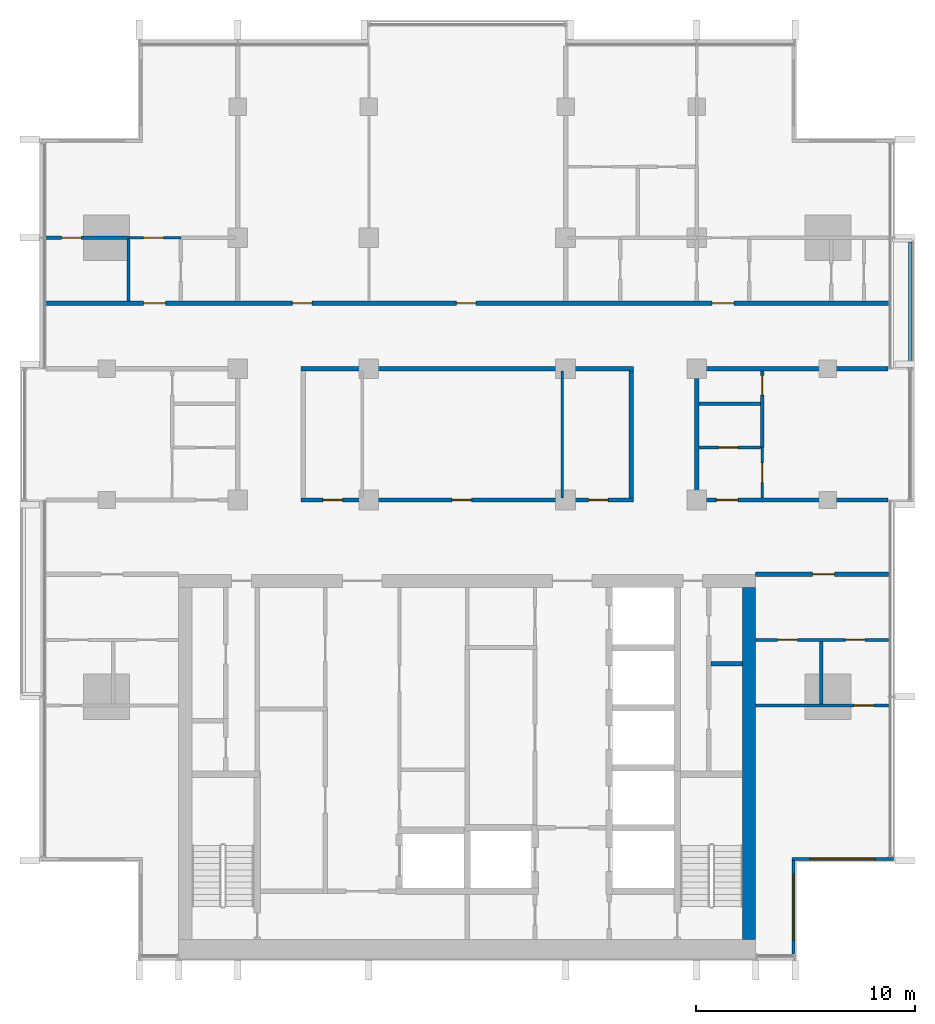
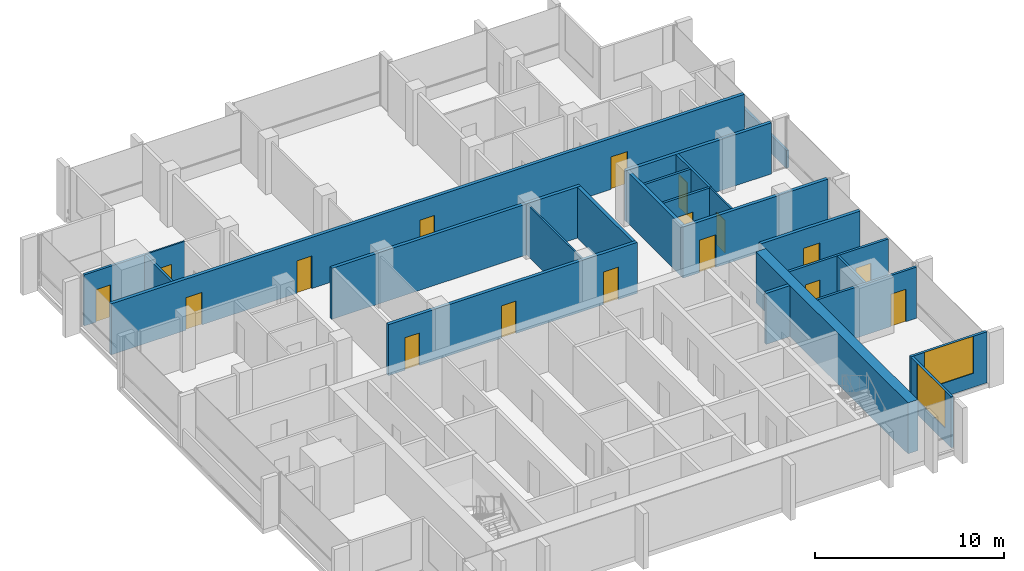
# One storey, part 9 of 16: 24 walls, 17 doors, 2 windows, 19 openings.
"""IFC4 building model written with IfcOpenShell, lengths in metres."""

from ifc_helpers import new_model, si_unit, direction, frame, frame_2d, origin, place, context, subcontext, project, spatial, rectangle, extrude, material, layer, layer_set, type_object, element, fill, save


model = new_model("IFC4")

# Units and contexts
model_context = context("Model", 3, precision=1e-05, world=origin(), true_north=direction((0.0, 1.0)))
body_context = subcontext(model_context, "Body", "Model", "MODEL_VIEW")
ifc_project = project(units=[si_unit("LENGTHUNIT", "METRE"), si_unit("AREAUNIT", "SQUARE_METRE"), si_unit("VOLUMEUNIT", "CUBIC_METRE"), si_unit("PLANEANGLEUNIT", "RADIAN"), si_unit("MASSUNIT", "GRAM", prefix="KILO")], contexts=[model_context])

# Site, building, storey
site_placement = place(None, origin())
site = spatial("IfcSite", under=ifc_project, at=site_placement, CompositionType="ELEMENT")
building_placement = place(site_placement, origin())
building = spatial("IfcBuilding", under=site, at=building_placement, Name="Finial Court Residences", CompositionType="ELEMENT")
storey_placement = place(building_placement, frame((0.0, 0.0, 212.300048828125)))
storey = spatial("IfcBuildingStorey", under=building, at=storey_placement, Name="L53", CompositionType="ELEMENT", Elevation=212.300048828125)

# Wall
ifc_material_1 = material(Name="Concrete C60/75", Category="concrete")
ifc_layer_1 = layer(ifc_material_1, 0.60009765625)
ifc_layer_set_1 = layer_set([ifc_layer_1], Name="Core outer wall 600 Concrete C60/75")
wall_type_1 = type_object("IfcWallType", Name="Core outer wall 600 Concrete C60/75", PredefinedType="SHEAR", material=ifc_layer_set_1)
wall_1_placement = place(storey_placement, frame((12.89990234375, -24.60009765625, 0.0), z_axis=(0.0, 0.0, 1.0), x_axis=(0.0, 1.0, 0.0)))
element("IfcWall", 1, at=wall_1_placement, inside=storey, type_object=wall_type_1, Name="Core outer wall L53-04", PredefinedType="SHEAR", context=body_context, shape_type="SweptSolid", body=[
    extrude(rectangle(XDim=16.10009765625, YDim=0.60009765625, at=frame_2d((8.050048828125, 0.0))), origin(), (0.0, 0.0, 1.0), 3.300048828125),
])

# Wall, opening, door
ifc_material_2 = material(Name="Gypsum board")
ifc_layer_2 = layer(ifc_material_2, 0.02490234375)
ifc_material_3 = material(Name="Acoustic mineral wool in double frame")
ifc_layer_3 = layer(ifc_material_3, 0.14990234375)
ifc_layer_4 = layer(ifc_material_2, 0.02490234375)
ifc_layer_set_2 = layer_set([ifc_layer_2, ifc_layer_3, ifc_layer_4], Name="Corridor wall 200, 1 hour")
wall_type_2 = type_object("IfcWallType", Name="Corridor wall 200, 1 hour", PredefinedType="PARTITIONING", material=ifc_layer_set_2)
wall_2_placement = place(storey_placement, frame((13.199951171875, -7.89990234375, 0.0), z_axis=(0.0, 0.0, 1.0), x_axis=(1.0, 0.0, 0.0)))
wall_2 = element("IfcWall", 2, at=wall_2_placement, inside=storey, type_object=wall_type_2, Name="Partition L53-005", PredefinedType="PARTITIONING", context=body_context, shape_type="SweptSolid", body=[
    extrude(rectangle(XDim=6.0625, YDim=0.199951171875, at=frame_2d((3.03125, 0.0))), origin(), (0.0, 0.0, 1.0), 3.300048828125),
])
opening_1_placement = place(wall_2_placement, frame((2.60009765625, 0.0, 0.0)))
opening_1 = element("IfcOpeningElement", 3, at=opening_1_placement, cuts=wall_2, Name="Opening L53-D008", PredefinedType="OPENING", context=body_context, shape_type="SweptSolid", body=[
    extrude(rectangle(XDim=1.0, YDim=2.10009765625, at=frame_2d((0.5, 1.050048828125))), frame((0.0, 0.10986328125, 0.0), z_axis=(0.0, -1.0, 0.0), x_axis=(1.0, 0.0, 0.0)), (0.0, 0.0, 1.0), 0.219970703125),
])
ifc_material_4 = material(Name="Timber door leaf in hollow metal frame", Category="wood")
door_type_1 = type_object("IfcDoorType", Name="Fire door set 1000 x 2100, 30 minutes", OperationType="SINGLE_SWING_LEFT", PredefinedType="DOOR", material=ifc_material_4)
door_1_placement = place(opening_1_placement, origin())
door_1 = element("IfcDoor", 4, at=door_1_placement, inside=storey, type_object=door_type_1, Name="Door L53-D008", OperationType="SINGLE_SWING_LEFT", OverallHeight=2.10009765625, OverallWidth=1.0, PredefinedType="DOOR", context=body_context, shape_type="SweptSolid", body=[
    extrude(rectangle(XDim=1.0, YDim=2.10009765625, at=frame_2d((0.5, 1.050048828125))), frame((0.0, 0.02490234375, 0.0), z_axis=(0.0, -1.0, 0.0), x_axis=(1.0, 0.0, 0.0)), (0.0, 0.0, 1.0), 0.050048828125),
])
fill(opening_1, door_1)

# Wall, openings, doors
wall_3_placement = place(storey_placement, frame((-7.60009765625, -4.5, 0.0), z_axis=(0.0, 0.0, 1.0), x_axis=(1.0, 0.0, 0.0)))
wall_3 = element("IfcWall", 5, at=wall_3_placement, inside=storey, type_object=wall_type_2, Name="Partition L53-007", PredefinedType="PARTITIONING", context=body_context, shape_type="SweptSolid", body=[
    extrude(rectangle(XDim=15.2001953125, YDim=0.199951171875, at=frame_2d((7.60009765625, 0.0))), origin(), (0.0, 0.0, 1.0), 3.300048828125),
])
opening_2_placement = place(wall_3_placement, frame((1.0, 0.0, 0.0)))
opening_2 = element("IfcOpeningElement", 6, at=opening_2_placement, cuts=wall_3, Name="Opening L53-D010", PredefinedType="OPENING", context=body_context, shape_type="SweptSolid", body=[
    extrude(rectangle(XDim=0.89990234375, YDim=2.10009765625, at=frame_2d((0.449951171875, 1.050048828125))), frame((0.0, 0.10986328125, 0.0), z_axis=(0.0, -1.0, 0.0), x_axis=(1.0, 0.0, 0.0)), (0.0, 0.0, 1.0), 0.219970703125),
])
opening_3_placement = place(wall_3_placement, frame((6.89990234375, 0.0, 0.0)))
opening_3 = element("IfcOpeningElement", 7, at=opening_3_placement, cuts=wall_3, Name="Opening L53-D011", PredefinedType="OPENING", context=body_context, shape_type="SweptSolid", body=[
    extrude(rectangle(XDim=0.89990234375, YDim=2.10009765625, at=frame_2d((0.449951171875, 1.050048828125))), frame((0.0, 0.10986328125, 0.0), z_axis=(0.0, -1.0, 0.0), x_axis=(1.0, 0.0, 0.0)), (0.0, 0.0, 1.0), 0.219970703125),
])
opening_4_placement = place(wall_3_placement, frame((13.14990234375, 0.0, 0.0)))
opening_4 = element("IfcOpeningElement", 8, at=opening_4_placement, cuts=wall_3, Name="Opening L53-D012", PredefinedType="OPENING", context=body_context, shape_type="SweptSolid", body=[
    extrude(rectangle(XDim=0.89990234375, YDim=2.10009765625, at=frame_2d((0.449951171875, 1.050048828125))), frame((0.0, 0.10986328125, 0.0), z_axis=(0.0, -1.0, 0.0), x_axis=(1.0, 0.0, 0.0)), (0.0, 0.0, 1.0), 0.219970703125),
])
door_type_2 = type_object("IfcDoorType", Name="Fire door set 900 x 2100, 30 minutes", OperationType="SINGLE_SWING_LEFT", PredefinedType="DOOR", material=ifc_material_4)
door_2_placement = place(opening_2_placement, origin())
door_2 = element("IfcDoor", 9, at=door_2_placement, inside=storey, type_object=door_type_2, Name="Door L53-D010", OperationType="SINGLE_SWING_RIGHT", OverallHeight=2.10009765625, OverallWidth=0.89990234375, PredefinedType="DOOR", context=body_context, shape_type="SweptSolid", body=[
    extrude(rectangle(XDim=0.89990234375, YDim=2.10009765625, at=frame_2d((0.449951171875, 1.050048828125))), frame((0.0, 0.02490234375, 0.0), z_axis=(0.0, -1.0, 0.0), x_axis=(1.0, 0.0, 0.0)), (0.0, 0.0, 1.0), 0.050048828125),
])
fill(opening_2, door_2)
door_3_placement = place(opening_3_placement, origin())
door_3 = element("IfcDoor", 10, at=door_3_placement, inside=storey, type_object=door_type_2, Name="Door L53-D011", OperationType="SINGLE_SWING_RIGHT", OverallHeight=2.10009765625, OverallWidth=0.89990234375, PredefinedType="DOOR", context=body_context, shape_type="SweptSolid", body=[
    extrude(rectangle(XDim=0.89990234375, YDim=2.10009765625, at=frame_2d((0.449951171875, 1.050048828125))), frame((0.0, 0.02490234375, 0.0), z_axis=(0.0, -1.0, 0.0), x_axis=(1.0, 0.0, 0.0)), (0.0, 0.0, 1.0), 0.050048828125),
])
fill(opening_3, door_3)
door_4_placement = place(opening_4_placement, origin())
door_4 = element("IfcDoor", 11, at=door_4_placement, inside=storey, type_object=door_type_2, Name="Door L53-D012", OperationType="SINGLE_SWING_LEFT", OverallHeight=2.10009765625, OverallWidth=0.89990234375, PredefinedType="DOOR", context=body_context, shape_type="SweptSolid", body=[
    extrude(rectangle(XDim=0.89990234375, YDim=2.10009765625, at=frame_2d((0.449951171875, 1.050048828125))), frame((0.0, 0.02490234375, 0.0), z_axis=(0.0, -1.0, 0.0), x_axis=(1.0, 0.0, 0.0)), (0.0, 0.0, 1.0), 0.050048828125),
])
fill(opening_4, door_4)

# Wall, opening, door
wall_4_placement = place(storey_placement, frame((10.39990234375, -4.5, 0.0), z_axis=(0.0, 0.0, 1.0), x_axis=(1.0, 0.0, 0.0)))
wall_4 = element("IfcWall", 12, at=wall_4_placement, inside=storey, type_object=wall_type_2, Name="Partition L53-008", PredefinedType="PARTITIONING", context=body_context, shape_type="SweptSolid", body=[
    extrude(rectangle(XDim=8.862548828125, YDim=0.199951171875, at=frame_2d((4.43115234375, 0.0))), origin(), (0.0, 0.0, 1.0), 3.300048828125),
])
opening_5_placement = place(wall_4_placement, frame((1.0, 0.0, 0.0)))
opening_5 = element("IfcOpeningElement", 13, at=opening_5_placement, cuts=wall_4, Name="Opening L53-D013", PredefinedType="OPENING", context=body_context, shape_type="SweptSolid", body=[
    extrude(rectangle(XDim=1.0, YDim=2.10009765625, at=frame_2d((0.5, 1.050048828125))), frame((0.0, 0.10986328125, 0.0), z_axis=(0.0, -1.0, 0.0), x_axis=(1.0, 0.0, 0.0)), (0.0, 0.0, 1.0), 0.219970703125),
])
door_5_placement = place(opening_5_placement, origin())
door_5 = element("IfcDoor", 14, at=door_5_placement, inside=storey, type_object=door_type_1, Name="Door L53-D013", OperationType="SINGLE_SWING_RIGHT", OverallHeight=2.10009765625, OverallWidth=1.0, PredefinedType="DOOR", context=body_context, shape_type="SweptSolid", body=[
    extrude(rectangle(XDim=1.0, YDim=2.10009765625, at=frame_2d((0.5, 1.050048828125))), frame((0.0, 0.02490234375, 0.0), z_axis=(0.0, -1.0, 0.0), x_axis=(1.0, 0.0, 0.0)), (0.0, 0.0, 1.0), 0.050048828125),
])
fill(opening_5, door_5)

# Walls
wall_5_placement = place(storey_placement, frame((-7.60009765625, 1.5, 0.0), z_axis=(0.0, 0.0, 1.0), x_axis=(1.0, 0.0, 0.0)))
element("IfcWall", 15, at=wall_5_placement, inside=storey, type_object=wall_type_2, Name="Partition L53-014", PredefinedType="PARTITIONING", context=body_context, shape_type="SweptSolid", body=[
    extrude(rectangle(XDim=15.2001953125, YDim=0.199951171875, at=frame_2d((7.60009765625, 0.0))), origin(), (0.0, 0.0, 1.0), 3.300048828125),
])
wall_6_placement = place(storey_placement, frame((10.39990234375, 1.5, 0.0), z_axis=(0.0, 0.0, 1.0), x_axis=(1.0, 0.0, 0.0)))
element("IfcWall", 16, at=wall_6_placement, inside=storey, type_object=wall_type_2, Name="Partition L53-015", PredefinedType="PARTITIONING", context=body_context, shape_type="SweptSolid", body=[
    extrude(rectangle(XDim=8.862548828125, YDim=0.199951171875, at=frame_2d((4.43115234375, 0.0))), origin(), (0.0, 0.0, 1.0), 3.300048828125),
])

# Wall, openings, doors
wall_7_placement = place(storey_placement, frame((-19.35009765625, 4.5, 0.0), z_axis=(0.0, 0.0, 1.0), x_axis=(1.0, 0.0, 0.0)))
wall_7 = element("IfcWall", 17, at=wall_7_placement, inside=storey, type_object=wall_type_2, Name="Partition L53-016", PredefinedType="PARTITIONING", context=body_context, shape_type="SweptSolid", body=[
    extrude(rectangle(XDim=38.7001953125, YDim=0.199951171875, at=frame_2d((19.35009765625, 0.0))), origin(), (0.0, 0.0, 1.0), 3.300048828125),
])
opening_6_placement = place(wall_7_placement, frame((4.550048828125, 0.0, 0.0)))
opening_6 = element("IfcOpeningElement", 18, at=opening_6_placement, cuts=wall_7, Name="Opening L53-D016", PredefinedType="OPENING", context=body_context, shape_type="SweptSolid", body=[
    extrude(rectangle(XDim=1.0, YDim=2.10009765625, at=frame_2d((0.5, 1.050048828125))), frame((0.0, 0.10986328125, 0.0), z_axis=(0.0, -1.0, 0.0), x_axis=(1.0, 0.0, 0.0)), (0.0, 0.0, 1.0), 0.219970703125),
])
opening_7_placement = place(wall_7_placement, frame((11.35009765625, 0.0, 0.0)))
opening_7 = element("IfcOpeningElement", 19, at=opening_7_placement, cuts=wall_7, Name="Opening L53-D017", PredefinedType="OPENING", context=body_context, shape_type="SweptSolid", body=[
    extrude(rectangle(XDim=0.89990234375, YDim=2.10009765625, at=frame_2d((0.449951171875, 1.050048828125))), frame((0.0, 0.10986328125, 0.0), z_axis=(0.0, -1.0, 0.0), x_axis=(1.0, 0.0, 0.0)), (0.0, 0.0, 1.0), 0.219970703125),
])
opening_8_placement = place(wall_7_placement, frame((18.85009765625, 0.0, 0.0)))
opening_8 = element("IfcOpeningElement", 20, at=opening_8_placement, cuts=wall_7, Name="Opening L53-D018", PredefinedType="OPENING", context=body_context, shape_type="SweptSolid", body=[
    extrude(rectangle(XDim=0.89990234375, YDim=2.10009765625, at=frame_2d((0.449951171875, 1.050048828125))), frame((0.0, 0.10986328125, 0.0), z_axis=(0.0, -1.0, 0.0), x_axis=(1.0, 0.0, 0.0)), (0.0, 0.0, 1.0), 0.219970703125),
])
opening_9_placement = place(wall_7_placement, frame((30.550048828125, 0.0, 0.0)))
opening_9 = element("IfcOpeningElement", 21, at=opening_9_placement, cuts=wall_7, Name="Opening L53-D019", PredefinedType="OPENING", context=body_context, shape_type="SweptSolid", body=[
    extrude(rectangle(XDim=1.0, YDim=2.10009765625, at=frame_2d((0.5, 1.050048828125))), frame((0.0, 0.10986328125, 0.0), z_axis=(0.0, -1.0, 0.0), x_axis=(1.0, 0.0, 0.0)), (0.0, 0.0, 1.0), 0.219970703125),
])
door_6_placement = place(opening_6_placement, origin())
door_6 = element("IfcDoor", 22, at=door_6_placement, inside=storey, type_object=door_type_1, Name="Door L53-D016", OperationType="SINGLE_SWING_RIGHT", OverallHeight=2.10009765625, OverallWidth=1.0, PredefinedType="DOOR", context=body_context, shape_type="SweptSolid", body=[
    extrude(rectangle(XDim=1.0, YDim=2.10009765625, at=frame_2d((0.5, 1.050048828125))), frame((0.0, 0.02490234375, 0.0), z_axis=(0.0, -1.0, 0.0), x_axis=(1.0, 0.0, 0.0)), (0.0, 0.0, 1.0), 0.050048828125),
])
fill(opening_6, door_6)
door_7_placement = place(opening_9_placement, origin())
door_7 = element("IfcDoor", 23, at=door_7_placement, inside=storey, type_object=door_type_1, Name="Door L53-D019", OperationType="SINGLE_SWING_LEFT", OverallHeight=2.10009765625, OverallWidth=1.0, PredefinedType="DOOR", context=body_context, shape_type="SweptSolid", body=[
    extrude(rectangle(XDim=1.0, YDim=2.10009765625, at=frame_2d((0.5, 1.050048828125))), frame((0.0, 0.02490234375, 0.0), z_axis=(0.0, -1.0, 0.0), x_axis=(1.0, 0.0, 0.0)), (0.0, 0.0, 1.0), 0.050048828125),
])
fill(opening_9, door_7)
door_8_placement = place(opening_7_placement, origin())
door_8 = element("IfcDoor", 24, at=door_8_placement, inside=storey, type_object=door_type_2, Name="Door L53-D017", OperationType="SINGLE_SWING_RIGHT", OverallHeight=2.10009765625, OverallWidth=0.89990234375, PredefinedType="DOOR", context=body_context, shape_type="SweptSolid", body=[
    extrude(rectangle(XDim=0.89990234375, YDim=2.10009765625, at=frame_2d((0.449951171875, 1.050048828125))), frame((0.0, 0.02490234375, 0.0), z_axis=(0.0, -1.0, 0.0), x_axis=(1.0, 0.0, 0.0)), (0.0, 0.0, 1.0), 0.050048828125),
])
fill(opening_7, door_8)
door_9_placement = place(opening_8_placement, origin())
door_9 = element("IfcDoor", 25, at=door_9_placement, inside=storey, type_object=door_type_2, Name="Door L53-D018", OperationType="SINGLE_SWING_LEFT", OverallHeight=2.10009765625, OverallWidth=0.89990234375, PredefinedType="DOOR", context=body_context, shape_type="SweptSolid", body=[
    extrude(rectangle(XDim=0.89990234375, YDim=2.10009765625, at=frame_2d((0.449951171875, 1.050048828125))), frame((0.0, 0.02490234375, 0.0), z_axis=(0.0, -1.0, 0.0), x_axis=(1.0, 0.0, 0.0)), (0.0, 0.0, 1.0), 0.050048828125),
])
fill(opening_8, door_9)

# Walls
for number, where, z_axis, x_axis, name in (
    (26, (7.5, -4.39990234375, 0.0), (0.0, 0.0, 1.0), (0.0, 1.0, 0.0), "Partition L53-039"),
    (27, (10.5, -4.39990234375, 0.0), (0.0, 0.0, 1.0), (0.0, 1.0, 0.0), "Partition L53-041"),
):
    element("IfcWall", number, at=place(storey_placement, frame(where, z_axis=z_axis, x_axis=x_axis)), inside=storey, type_object=wall_type_2, Name=name, PredefinedType="PARTITIONING", context=body_context, shape_type="SweptSolid", body=[
        extrude(rectangle(XDim=5.7998046875, YDim=0.199951171875, at=frame_2d((2.89990234375, 0.0))), origin(), (0.0, 0.0, 1.0), 3.300048828125),
    ])

# Wall, opening, door
ifc_layer_5 = layer(ifc_material_2, 0.012451171875)
ifc_material_5 = material(Name="Mineral wool in light-gauge frame")
ifc_layer_6 = layer(ifc_material_5, 0.074951171875)
ifc_layer_7 = layer(ifc_material_2, 0.012451171875)
ifc_layer_set_3 = layer_set([ifc_layer_5, ifc_layer_6, ifc_layer_7], Name="Gypsum board partition 100")
wall_type_3 = type_object("IfcWallType", Name="Gypsum board partition 100", PredefinedType="PARTITIONING", material=ifc_layer_set_3)
wall_8_placement = place(storey_placement, frame((-15.5, 7.5, 0.0), z_axis=(0.0, 0.0, 1.0), x_axis=(1.0, 0.0, 0.0)))
wall_8 = element("IfcWall", 28, at=wall_8_placement, inside=storey, type_object=wall_type_3, Name="Partition L53-017", PredefinedType="PARTITIONING", context=body_context, shape_type="SweptSolid", body=[
    extrude(rectangle(XDim=2.39990234375, YDim=0.10009765625, at=frame_2d((1.199951171875, 0.0))), origin(), (0.0, 0.0, 1.0), 3.300048828125),
])
opening_10_placement = place(wall_8_placement, frame((0.699951171875, 0.0, 0.0)))
opening_10 = element("IfcOpeningElement", 29, at=opening_10_placement, cuts=wall_8, Name="Opening L53-D020", PredefinedType="OPENING", context=body_context, shape_type="SweptSolid", body=[
    extrude(rectangle(XDim=0.89990234375, YDim=2.10009765625, at=frame_2d((0.449951171875, 1.050048828125))), frame((0.0, 0.06005859375, 0.0), z_axis=(0.0, -1.0, 0.0), x_axis=(1.0, 0.0, 0.0)), (0.0, 0.0, 1.0), 0.1201171875),
])
ifc_material_6 = material(Name="Timber door leaf in timber frame", Category="wood")
door_type_3 = type_object("IfcDoorType", Name="Door set 900 x 2100", OperationType="SINGLE_SWING_LEFT", PredefinedType="DOOR", material=ifc_material_6)
door_10_placement = place(opening_10_placement, origin())
door_10 = element("IfcDoor", 30, at=door_10_placement, inside=storey, type_object=door_type_3, Name="Door L53-D020", OperationType="SINGLE_SWING_RIGHT", OverallHeight=2.10009765625, OverallWidth=0.89990234375, PredefinedType="DOOR", context=body_context, shape_type="SweptSolid", body=[
    extrude(rectangle(XDim=0.89990234375, YDim=2.10009765625, at=frame_2d((0.449951171875, 1.050048828125))), frame((0.0, 0.02490234375, 0.0), z_axis=(0.0, -1.0, 0.0), x_axis=(1.0, 0.0, 0.0)), (0.0, 0.0, 1.0), 0.050048828125),
])
fill(opening_10, door_10)

# Wall
wall_9_placement = place(storey_placement, frame((4.35009765625, -4.39990234375, 0.0), z_axis=(0.0, 0.0, 1.0), x_axis=(0.0, 1.0, 0.0)))
element("IfcWall", 31, at=wall_9_placement, inside=storey, type_object=wall_type_3, Name="Partition L53-036", PredefinedType="PARTITIONING", context=body_context, shape_type="SweptSolid", body=[
    extrude(rectangle(XDim=5.7998046875, YDim=0.10009765625, at=frame_2d((2.89990234375, 0.0))), origin(), (0.0, 0.0, 1.0), 3.300048828125),
])

# Wall, opening, door
wall_10_placement = place(storey_placement, frame((13.5, -4.39990234375, 0.0), z_axis=(0.0, 0.0, 1.0), x_axis=(0.0, 1.0, 0.0)))
wall_10 = element("IfcWall", 32, at=wall_10_placement, inside=storey, type_object=wall_type_3, Name="Partition L53-046", PredefinedType="PARTITIONING", context=body_context, shape_type="SweptSolid", body=[
    extrude(rectangle(XDim=2.2998046875, YDim=0.10009765625, at=frame_2d((1.14990234375, 0.0))), origin(), (0.0, 0.0, 1.0), 3.300048828125),
])
opening_11_placement = place(wall_10_placement, frame((0.699951171875, 0.0, 0.0)))
opening_11 = element("IfcOpeningElement", 33, at=opening_11_placement, cuts=wall_10, Name="Opening L53-D032", PredefinedType="OPENING", context=body_context, shape_type="SweptSolid", body=[
    extrude(rectangle(XDim=0.89990234375, YDim=2.10009765625, at=frame_2d((0.449951171875, 1.050048828125))), frame((0.0, 0.06005859375, 0.0), z_axis=(0.0, -1.0, 0.0), x_axis=(1.0, 0.0, 0.0)), (0.0, 0.0, 1.0), 0.1201171875),
])
door_11_placement = place(opening_11_placement, origin())
door_11 = element("IfcDoor", 34, at=door_11_placement, inside=storey, type_object=door_type_3, Name="Door L53-D032", OperationType="SINGLE_SWING_RIGHT", OverallHeight=2.10009765625, OverallWidth=0.89990234375, PredefinedType="DOOR", context=body_context, shape_type="SweptSolid", body=[
    extrude(rectangle(XDim=0.89990234375, YDim=2.10009765625, at=frame_2d((0.449951171875, 1.050048828125))), frame((0.0, 0.02490234375, 0.0), z_axis=(0.0, -1.0, 0.0), x_axis=(1.0, 0.0, 0.0)), (0.0, 0.0, 1.0), 0.050048828125),
])
fill(opening_11, door_11)

ifc_material_7 = material(Name="Moisture-resistant gypsum board")
ifc_layer_8 = layer(ifc_material_7, 0.012451171875)
ifc_layer_9 = layer(ifc_material_5, 0.125)
ifc_layer_10 = layer(ifc_material_7, 0.012451171875)
ifc_layer_set_4 = layer_set([ifc_layer_8, ifc_layer_9, ifc_layer_10], Name="Gypsum board wet-area partition 150")
wall_type_4 = type_object("IfcWallType", Name="Gypsum board wet-area partition 150", PredefinedType="PARTITIONING", material=ifc_layer_set_4)
wall_11_placement = place(storey_placement, frame((13.199951171875, -13.89990234375, 0.0), z_axis=(0.0, 0.0, 1.0), x_axis=(1.0, 0.0, 0.0)))
wall_11 = element("IfcWall", 35, at=wall_11_placement, inside=storey, type_object=wall_type_4, Name="Partition L53-001", PredefinedType="PARTITIONING", context=body_context, shape_type="SweptSolid", body=[
    extrude(rectangle(XDim=6.0625, YDim=0.14990234375, at=frame_2d((3.03125, 0.0))), origin(), (0.0, 0.0, 1.0), 3.300048828125),
])
opening_12_placement = place(wall_11_placement, frame((4.5, 0.0, 0.0)))
opening_12 = element("IfcOpeningElement", 36, at=opening_12_placement, cuts=wall_11, Name="Opening L53-D002", PredefinedType="OPENING", context=body_context, shape_type="SweptSolid", body=[
    extrude(rectangle(XDim=0.89990234375, YDim=2.10009765625, at=frame_2d((0.449951171875, 1.050048828125))), frame((0.0, 0.0849609375, 0.0), z_axis=(0.0, -1.0, 0.0), x_axis=(1.0, 0.0, 0.0)), (0.0, 0.0, 1.0), 0.169921875),
])
door_12_placement = place(opening_12_placement, origin())
door_12 = element("IfcDoor", 37, at=door_12_placement, inside=storey, type_object=door_type_3, Name="Door L53-D002", OperationType="SINGLE_SWING_RIGHT", OverallHeight=2.10009765625, OverallWidth=0.89990234375, PredefinedType="DOOR", context=body_context, shape_type="SweptSolid", body=[
    extrude(rectangle(XDim=0.89990234375, YDim=2.10009765625, at=frame_2d((0.449951171875, 1.050048828125))), frame((0.0, 0.02490234375, 0.0), z_axis=(0.0, -1.0, 0.0), x_axis=(1.0, 0.0, 0.0)), (0.0, 0.0, 1.0), 0.050048828125),
])
fill(opening_12, door_12)

# Wall, openings, doors
wall_12_placement = place(storey_placement, frame((13.199951171875, -10.89990234375, 0.0), z_axis=(0.0, 0.0, 1.0), x_axis=(1.0, 0.0, 0.0)))
wall_12 = element("IfcWall", 38, at=wall_12_placement, inside=storey, type_object=wall_type_4, Name="Partition L53-003", PredefinedType="PARTITIONING", context=body_context, shape_type="SweptSolid", body=[
    extrude(rectangle(XDim=6.0625, YDim=0.14990234375, at=frame_2d((3.03125, 0.0))), origin(), (0.0, 0.0, 1.0), 3.300048828125),
])
opening_13_placement = place(wall_12_placement, frame((1.0, 0.0, 0.0)))
opening_13 = element("IfcOpeningElement", 39, at=opening_13_placement, cuts=wall_12, Name="Opening L53-D005", PredefinedType="OPENING", context=body_context, shape_type="SweptSolid", body=[
    extrude(rectangle(XDim=0.89990234375, YDim=2.10009765625, at=frame_2d((0.449951171875, 1.050048828125))), frame((0.0, 0.0849609375, 0.0), z_axis=(0.0, -1.0, 0.0), x_axis=(1.0, 0.0, 0.0)), (0.0, 0.0, 1.0), 0.169921875),
])
opening_14_placement = place(wall_12_placement, frame((4.10009765625, 0.0, 0.0)))
opening_14 = element("IfcOpeningElement", 40, at=opening_14_placement, cuts=wall_12, Name="Opening L53-D006", PredefinedType="OPENING", context=body_context, shape_type="SweptSolid", body=[
    extrude(rectangle(XDim=0.89990234375, YDim=2.10009765625, at=frame_2d((0.449951171875, 1.050048828125))), frame((0.0, 0.0849609375, 0.0), z_axis=(0.0, -1.0, 0.0), x_axis=(1.0, 0.0, 0.0)), (0.0, 0.0, 1.0), 0.169921875),
])
door_13_placement = place(opening_13_placement, origin())
door_13 = element("IfcDoor", 41, at=door_13_placement, inside=storey, type_object=door_type_3, Name="Door L53-D005", OperationType="SINGLE_SWING_LEFT", OverallHeight=2.10009765625, OverallWidth=0.89990234375, PredefinedType="DOOR", context=body_context, shape_type="SweptSolid", body=[
    extrude(rectangle(XDim=0.89990234375, YDim=2.10009765625, at=frame_2d((0.449951171875, 1.050048828125))), frame((0.0, 0.02490234375, 0.0), z_axis=(0.0, -1.0, 0.0), x_axis=(1.0, 0.0, 0.0)), (0.0, 0.0, 1.0), 0.050048828125),
])
fill(opening_13, door_13)
door_14_placement = place(opening_14_placement, origin())
door_14 = element("IfcDoor", 42, at=door_14_placement, inside=storey, type_object=door_type_3, Name="Door L53-D006", OperationType="SINGLE_SWING_RIGHT", OverallHeight=2.10009765625, OverallWidth=0.89990234375, PredefinedType="DOOR", context=body_context, shape_type="SweptSolid", body=[
    extrude(rectangle(XDim=0.89990234375, YDim=2.10009765625, at=frame_2d((0.449951171875, 1.050048828125))), frame((0.0, 0.02490234375, 0.0), z_axis=(0.0, -1.0, 0.0), x_axis=(1.0, 0.0, 0.0)), (0.0, 0.0, 1.0), 0.050048828125),
])
fill(opening_14, door_14)

# Wall, opening, door
wall_13_placement = place(storey_placement, frame((10.60009765625, -2.10009765625, 0.0), z_axis=(0.0, 0.0, 1.0), x_axis=(1.0, 0.0, 0.0)))
wall_13 = element("IfcWall", 43, at=wall_13_placement, inside=storey, type_object=wall_type_4, Name="Partition L53-010", PredefinedType="PARTITIONING", context=body_context, shape_type="SweptSolid", body=[
    extrude(rectangle(XDim=2.824951171875, YDim=0.14990234375, at=frame_2d((1.41259765625, 0.0))), origin(), (0.0, 0.0, 1.0), 3.300048828125),
])
opening_15_placement = place(wall_13_placement, frame((0.89990234375, 0.0, 0.0)))
opening_15 = element("IfcOpeningElement", 44, at=opening_15_placement, cuts=wall_13, Name="Opening L53-D015", PredefinedType="OPENING", context=body_context, shape_type="SweptSolid", body=[
    extrude(rectangle(XDim=0.89990234375, YDim=2.10009765625, at=frame_2d((0.449951171875, 1.050048828125))), frame((0.0, 0.0849609375, 0.0), z_axis=(0.0, -1.0, 0.0), x_axis=(1.0, 0.0, 0.0)), (0.0, 0.0, 1.0), 0.169921875),
])
door_15_placement = place(opening_15_placement, origin())
door_15 = element("IfcDoor", 45, at=door_15_placement, inside=storey, type_object=door_type_3, Name="Door L53-D015", OperationType="SINGLE_SWING_RIGHT", OverallHeight=2.10009765625, OverallWidth=0.89990234375, PredefinedType="DOOR", context=body_context, shape_type="SweptSolid", body=[
    extrude(rectangle(XDim=0.89990234375, YDim=2.10009765625, at=frame_2d((0.449951171875, 1.050048828125))), frame((0.0, 0.02490234375, 0.0), z_axis=(0.0, -1.0, 0.0), x_axis=(1.0, 0.0, 0.0)), (0.0, 0.0, 1.0), 0.050048828125),
])
fill(opening_15, door_15)

# Wall
wall_14_placement = place(storey_placement, frame((10.60009765625, -0.10009765625, 0.0), z_axis=(0.0, 0.0, 1.0), x_axis=(1.0, 0.0, 0.0)))
element("IfcWall", 46, at=wall_14_placement, inside=storey, type_object=wall_type_4, Name="Partition L53-012", PredefinedType="PARTITIONING", context=body_context, shape_type="SweptSolid", body=[
    extrude(rectangle(XDim=2.824951171875, YDim=0.14990234375, at=frame_2d((1.41259765625, 0.0))), origin(), (0.0, 0.0, 1.0), 3.300048828125),
])

# Wall, opening, door
wall_15_placement = place(storey_placement, frame((-19.262451171875, 7.5, 0.0), z_axis=(0.0, 0.0, 1.0), x_axis=(1.0, 0.0, 0.0)))
wall_15 = element("IfcWall", 47, at=wall_15_placement, inside=storey, type_object=wall_type_4, Name="Partition L53-020", PredefinedType="PARTITIONING", context=body_context, shape_type="SweptSolid", body=[
    extrude(rectangle(XDim=3.762451171875, YDim=0.14990234375, at=frame_2d((1.88134765625, 0.0))), origin(), (0.0, 0.0, 1.0), 3.300048828125),
])
opening_16_placement = place(wall_15_placement, frame((0.7119140625, 0.0, 0.0)))
opening_16 = element("IfcOpeningElement", 48, at=opening_16_placement, cuts=wall_15, Name="Opening L53-D022", PredefinedType="OPENING", context=body_context, shape_type="SweptSolid", body=[
    extrude(rectangle(XDim=0.89990234375, YDim=2.10009765625, at=frame_2d((0.449951171875, 1.050048828125))), frame((0.0, 0.0849609375, 0.0), z_axis=(0.0, -1.0, 0.0), x_axis=(1.0, 0.0, 0.0)), (0.0, 0.0, 1.0), 0.169921875),
])
door_16_placement = place(opening_16_placement, origin())
door_16 = element("IfcDoor", 49, at=door_16_placement, inside=storey, type_object=door_type_3, Name="Door L53-D022", OperationType="SINGLE_SWING_LEFT", OverallHeight=2.10009765625, OverallWidth=0.89990234375, PredefinedType="DOOR", context=body_context, shape_type="SweptSolid", body=[
    extrude(rectangle(XDim=0.89990234375, YDim=2.10009765625, at=frame_2d((0.449951171875, 1.050048828125))), frame((0.0, 0.02490234375, 0.0), z_axis=(0.0, -1.0, 0.0), x_axis=(1.0, 0.0, 0.0)), (0.0, 0.0, 1.0), 0.050048828125),
])
fill(opening_16, door_16)

# Wall
wall_16_placement = place(storey_placement, frame((-15.5, 4.60009765625, 0.0), z_axis=(0.0, 0.0, 1.0), x_axis=(0.0, 1.0, 0.0)))
element("IfcWall", 50, at=wall_16_placement, inside=storey, type_object=wall_type_4, Name="Partition L53-027", PredefinedType="PARTITIONING", context=body_context, shape_type="SweptSolid", body=[
    extrude(rectangle(XDim=2.824951171875, YDim=0.14990234375, at=frame_2d((1.41259765625, 0.0))), origin(), (0.0, 0.0, 1.0), 3.300048828125),
])

# Wall, opening, door
wall_17_placement = place(storey_placement, frame((13.5, -2.10009765625, 0.0), z_axis=(0.0, 0.0, 1.0), x_axis=(0.0, 1.0, 0.0)))
wall_17 = element("IfcWall", 51, at=wall_17_placement, inside=storey, type_object=wall_type_4, Name="Partition L53-047", PredefinedType="PARTITIONING", context=body_context, shape_type="SweptSolid", body=[
    extrude(rectangle(XDim=3.5, YDim=0.14990234375, at=frame_2d((1.75, 0.0))), origin(), (0.0, 0.0, 1.0), 3.300048828125),
])
opening_17_placement = place(wall_17_placement, frame((2.39990234375, 0.0, 0.0)))
opening_17 = element("IfcOpeningElement", 52, at=opening_17_placement, cuts=wall_17, Name="Opening L53-D033", PredefinedType="OPENING", context=body_context, shape_type="SweptSolid", body=[
    extrude(rectangle(XDim=0.89990234375, YDim=2.10009765625, at=frame_2d((0.449951171875, 1.050048828125))), frame((0.0, 0.0849609375, 0.0), z_axis=(0.0, -1.0, 0.0), x_axis=(1.0, 0.0, 0.0)), (0.0, 0.0, 1.0), 0.169921875),
])
door_17_placement = place(opening_17_placement, origin())
door_17 = element("IfcDoor", 53, at=door_17_placement, inside=storey, type_object=door_type_3, Name="Door L53-D033", OperationType="SINGLE_SWING_LEFT", OverallHeight=2.10009765625, OverallWidth=0.89990234375, PredefinedType="DOOR", context=body_context, shape_type="SweptSolid", body=[
    extrude(rectangle(XDim=0.89990234375, YDim=2.10009765625, at=frame_2d((0.449951171875, 1.050048828125))), frame((0.0, 0.02490234375, 0.0), z_axis=(0.0, -1.0, 0.0), x_axis=(1.0, 0.0, 0.0)), (0.0, 0.0, 1.0), 0.050048828125),
])
fill(opening_17, door_17)

# Walls
wall_18_placement = place(storey_placement, frame((16.199951171875, -13.824951171875, 0.0), z_axis=(0.0, 0.0, 1.0), x_axis=(0.0, 1.0, 0.0)))
element("IfcWall", 54, at=wall_18_placement, inside=storey, type_object=wall_type_4, Name="Partition L53-048", PredefinedType="PARTITIONING", context=body_context, shape_type="SweptSolid", body=[
    extrude(rectangle(XDim=2.849853515625, YDim=0.14990234375, at=frame_2d((1.4248046875, 0.0))), origin(), (0.0, 0.0, 1.0), 3.300048828125),
])
ifc_material_8 = material(Name="Concrete C35/45", Category="concrete")
ifc_layer_11 = layer(ifc_material_8, 0.14990234375)
ifc_layer_set_5 = layer_set([ifc_layer_11], Name="Ledge parapet, Concrete C35/45 150")
wall_type_5 = type_object("IfcWallType", Name="Ledge parapet, Concrete C35/45 150", PredefinedType="PARAPET", material=ifc_layer_set_5)
wall_19_placement = place(storey_placement, frame((20.27490234375, 7.300048828125, 0.0), z_axis=(0.0, 0.0, 1.0), x_axis=(0.0, -1.0, 0.0)))
element("IfcWall", 55, at=wall_19_placement, inside=storey, type_object=wall_type_5, Name="E-L53-LED1-P2", PredefinedType="PARAPET", context=body_context, shape_type="SweptSolid", body=[
    extrude(rectangle(XDim=5.8525390625, YDim=0.14990234375, at=frame_2d((2.92626953125, 0.0))), origin(), (0.0, 0.0, 1.0), 1.14990234375),
])

# Wall, opening, window
ifc_material_9 = material(Name="Natural limestone", Category="masonry")
ifc_layer_12 = layer(ifc_material_9, 0.14990234375)
ifc_layer_set_6 = layer_set([ifc_layer_12], Name="Limestone clad wall 150")
wall_type_6 = type_object("IfcWallType", Name="Limestone clad wall 150", PredefinedType="SOLIDWALL", material=ifc_layer_set_6)
wall_20_placement = place(storey_placement, frame((14.925048828125, -21.0, 0.0), z_axis=(0.0, 0.0, 1.0), x_axis=(0.0, -1.0, 0.0)))
wall_20 = element("IfcWall", 56, at=wall_20_placement, inside=storey, type_object=wall_type_6, Name="E-L53-NWE14", PredefinedType="SOLIDWALL", context=body_context, shape_type="SweptSolid", body=[
    extrude(rectangle(XDim=4.262451171875, YDim=0.14990234375, at=frame_2d((2.13134765625, 0.0))), origin(), (0.0, 0.0, 1.0), 3.300048828125),
])
opening_18_placement = place(wall_20_placement, frame((0.63134765625, 0.0, 0.89990234375)))
opening_18 = element("IfcOpeningElement", 57, at=opening_18_placement, cuts=wall_20, Name="Opening WE53-03", PredefinedType="OPENING", context=body_context, shape_type="SweptSolid", body=[
    extrude(rectangle(XDim=3.0, YDim=2.39990234375, at=frame_2d((1.5, 1.199951171875))), frame((0.0, 0.0849609375, 0.0), z_axis=(0.0, -1.0, 0.0), x_axis=(1.0, 0.0, 0.0)), (0.0, 0.0, 1.0), 0.169921875),
])
ifc_material_10 = material(Name="Clear low-e glass", Category="glass")
window_type = type_object("IfcWindowType", Name="Corner window 3000 x 2400", PartitioningType="SINGLE_PANEL", PredefinedType="WINDOW", material=ifc_material_10)
window_1_placement = place(opening_18_placement, origin())
window_1 = element("IfcWindow", 58, at=window_1_placement, inside=storey, type_object=window_type, Name="E-L53-NWE14-W1", OverallHeight=2.39990234375, OverallWidth=3.0, PartitioningType="SINGLE_PANEL", PredefinedType="WINDOW", context=body_context, shape_type="SweptSolid", body=[
    extrude(rectangle(XDim=3.0, YDim=2.39990234375, at=frame_2d((1.5, 1.199951171875))), frame((0.0, 0.030029296875, 0.0), z_axis=(0.0, -1.0, 0.0), x_axis=(1.0, 0.0, 0.0)), (0.0, 0.0, 1.0), 0.06005859375),
])
fill(opening_18, window_1)

wall_21_placement = place(storey_placement, frame((19.5, -20.925048828125, 0.0), z_axis=(0.0, 0.0, 1.0), x_axis=(-1.0, 0.0, 0.0)))
wall_21 = element("IfcWall", 59, at=wall_21_placement, inside=storey, type_object=wall_type_6, Name="E-L53-NWS15", PredefinedType="SOLIDWALL", context=body_context, shape_type="SweptSolid", body=[
    extrude(rectangle(XDim=4.64990234375, YDim=0.14990234375, at=frame_2d((2.324951171875, 0.0))), origin(), (0.0, 0.0, 1.0), 3.300048828125),
])
opening_19_placement = place(wall_21_placement, frame((0.824951171875, 0.0, 0.89990234375)))
opening_19 = element("IfcOpeningElement", 60, at=opening_19_placement, cuts=wall_21, Name="Opening WE53-04", PredefinedType="OPENING", context=body_context, shape_type="SweptSolid", body=[
    extrude(rectangle(XDim=3.0, YDim=2.39990234375, at=frame_2d((1.5, 1.199951171875))), frame((0.0, 0.0849609375, 0.0), z_axis=(0.0, -1.0, 0.0), x_axis=(1.0, 0.0, 0.0)), (0.0, 0.0, 1.0), 0.169921875),
])
window_2_placement = place(opening_19_placement, origin())
window_2 = element("IfcWindow", 61, at=window_2_placement, inside=storey, type_object=window_type, Name="E-L53-NWS15-W1", OverallHeight=2.39990234375, OverallWidth=3.0, PartitioningType="SINGLE_PANEL", PredefinedType="WINDOW", context=body_context, shape_type="SweptSolid", body=[
    extrude(rectangle(XDim=3.0, YDim=2.39990234375, at=frame_2d((1.5, 1.199951171875))), frame((0.0, 0.030029296875, 0.0), z_axis=(0.0, -1.0, 0.0), x_axis=(1.0, 0.0, 0.0)), (0.0, 0.0, 1.0), 0.06005859375),
])
fill(opening_19, window_2)

# Wall
ifc_material_11 = material(Name="Fire-rated gypsum board partition")
ifc_layer_13 = layer(ifc_material_11, 0.199951171875)
ifc_layer_set_7 = layer_set([ifc_layer_13], Name="Riser room wall 200 EI 120")
wall_type_7 = type_object("IfcWallType", Name="Riser room wall 200 EI 120", PredefinedType="PARTITIONING", material=ifc_layer_set_7)
wall_22_placement = place(storey_placement, frame((11.14990234375, -12.0, 0.0), z_axis=(0.0, 0.0, 1.0), x_axis=(1.0, 0.0, 0.0)))
element("IfcWall", 62, at=wall_22_placement, inside=storey, type_object=wall_type_7, Name="Core partition L53-16", PredefinedType="PARTITIONING", context=body_context, shape_type="SweptSolid", body=[
    extrude(rectangle(XDim=1.4501953125, YDim=0.199951171875, at=frame_2d((0.72509765625, 0.0))), origin(), (0.0, 0.0, 1.0), 3.300048828125),
])

save(model, "model.ifc")
